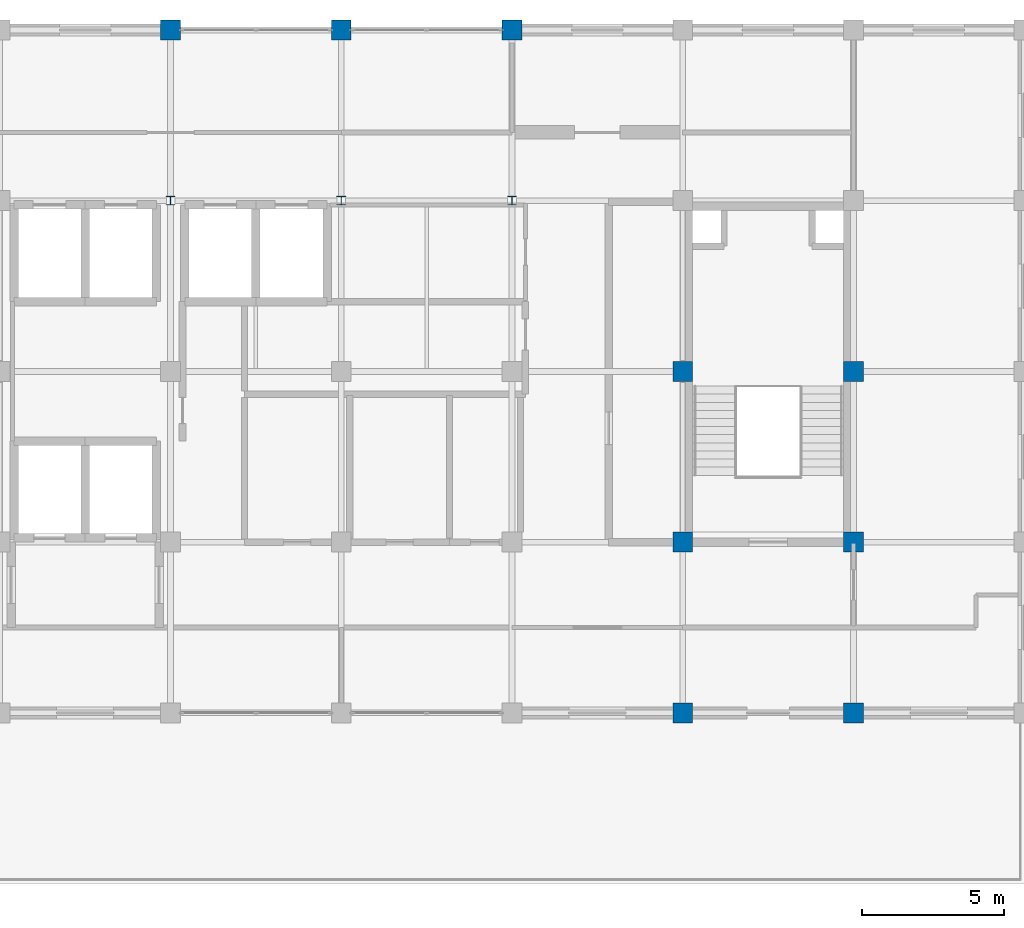
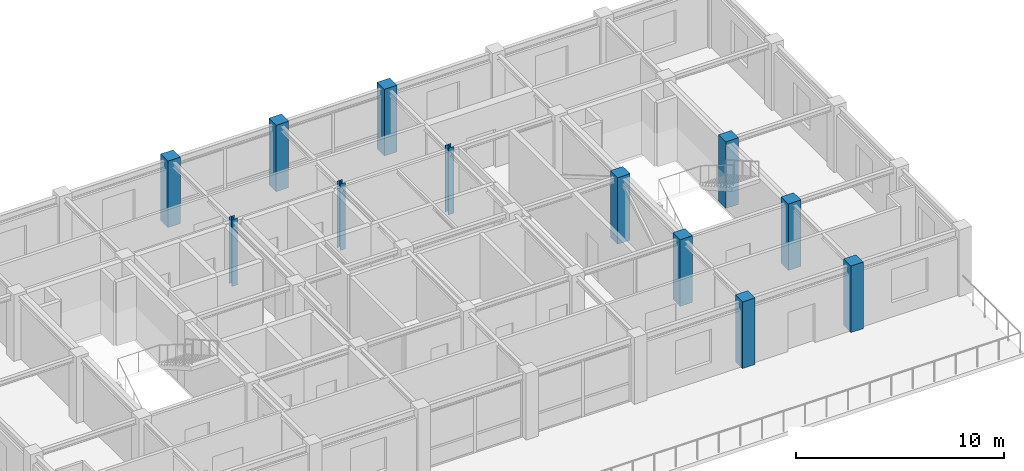
# One storey, part 2 of 11: 12 columns.
"""IFC4 building model written with IfcOpenShell, lengths in metres."""

from ifc_helpers import new_model, si_unit, direction, frame, origin, origin_2d, place, context, subcontext, project, spatial, rectangle, i_section, extrude, material, material_profile, profile_set, type_object, element, save


model = new_model("IFC4")

# Units and contexts
model_context = context("Model", 3, precision=1e-05, world=origin(), true_north=direction((0.0, 1.0)))
body_context = subcontext(model_context, "Body", "Model", "MODEL_VIEW")
ifc_project = project(units=[si_unit("LENGTHUNIT", "METRE"), si_unit("AREAUNIT", "SQUARE_METRE"), si_unit("VOLUMEUNIT", "CUBIC_METRE"), si_unit("PLANEANGLEUNIT", "RADIAN"), si_unit("MASSUNIT", "GRAM", prefix="KILO")], contexts=[model_context])

# Site, building, storey
site_placement = place(None, origin())
site = spatial("IfcSite", under=ifc_project, at=site_placement, CompositionType="ELEMENT")
building_placement = place(site_placement, origin())
building = spatial("IfcBuilding", under=site, at=building_placement, Name="Zlatovratsky Civic Hall", CompositionType="ELEMENT")
storey_placement = place(building_placement, frame((0.0, 0.0, 52.199951171875)))
storey = spatial("IfcBuildingStorey", under=building, at=storey_placement, Name="L13", CompositionType="ELEMENT", Elevation=52.199951171875)

# Columns
ifc_material_1 = material(Name="Concrete C35/45 (B40)", Category="concrete")
ifc_material_profile_1 = material_profile(ifc_material_1, rectangle(XDim=0.699951171875, YDim=0.699951171875, at=origin_2d()), Name="RC 700x700")
ifc_profile_set_1 = profile_set([ifc_material_profile_1], Name="Concrete C35/45 (B40)")
column_type_1 = type_object("IfcColumnType", Name="Col_CorePier_RC700", PredefinedType="COLUMN", material=ifc_profile_set_1)
for number, where, z_axis, x_axis, name in (
    (1, (96.0, 78.0, 0.0), (0.0, 0.0, 1.0), (1.0, 0.0, 0.0), "CL-2471"),
    (2, (102.0, 78.0, 0.0), (0.0, 0.0, 1.0), (1.0, 0.0, 0.0), "CL-2472"),
    (3, (96.0, 84.0, 0.0), (0.0, 0.0, 1.0), (1.0, 0.0, 0.0), "CL-2480"),
    (4, (102.0, 84.0, 0.0), (0.0, 0.0, 1.0), (1.0, 0.0, 0.0), "CL-2481"),
    (5, (96.0, 90.0, 0.0), (0.0, 0.0, 1.0), (1.0, 0.0, 0.0), "CL-2489"),
    (6, (102.0, 90.0, 0.0), (0.0, 0.0, 1.0), (1.0, 0.0, 0.0), "CL-2490"),
    (7, (78.0, 102.0, 0.0), (0.0, 0.0, 1.0), (1.0, 0.0, 0.0), "CL-2504"),
    (8, (84.0, 102.0, 0.0), (0.0, 0.0, 1.0), (1.0, 0.0, 0.0), "CL-2505"),
    (9, (90.0, 102.0, 0.0), (0.0, 0.0, 1.0), (1.0, 0.0, 0.0), "CL-2506"),
):
    element("IfcColumn", number, at=place(storey_placement, frame(where, z_axis=z_axis, x_axis=x_axis)), inside=storey, type_object=column_type_1, Name=name, PredefinedType="COLUMN", context=body_context, shape_type="SweptSolid", body=[
        extrude(rectangle(XDim=0.699951171875, YDim=0.699951171875, at=origin_2d()), origin(), (0.0, 0.0, 1.0), 3.900146484375),
    ])
ifc_material_2 = material(Name="Steel S355", Category="steel")
ifc_material_profile_2 = material_profile(ifc_material_2, i_section(OverallWidth=0.300048828125, OverallDepth=0.300048828125, WebThickness=0.010009765625, FlangeThickness=0.014892578125, FilletRadius=0.01806640625, at=origin_2d()), Name="30K2")
ifc_profile_set_2 = profile_set([ifc_material_profile_2], Name="Steel S355")
column_type_2 = type_object("IfcColumnType", Name="Col_Steel_30K2", PredefinedType="COLUMN", material=ifc_profile_set_2)
for number, where, z_axis, x_axis, name in (
    (10, (78.0, 96.0, 0.0), (0.0, 0.0, 1.0), (1.0, 0.0, 0.0), "CL-2495"),
    (11, (84.0, 96.0, 0.0), (0.0, 0.0, 1.0), (1.0, 0.0, 0.0), "CL-2496"),
    (12, (90.0, 96.0, 0.0), (0.0, 0.0, 1.0), (1.0, 0.0, 0.0), "CL-2497"),
):
    element("IfcColumn", number, at=place(storey_placement, frame(where, z_axis=z_axis, x_axis=x_axis)), inside=storey, type_object=column_type_2, Name=name, PredefinedType="COLUMN", context=body_context, shape_type="SweptSolid", body=[
        extrude(i_section(OverallWidth=0.300048828125, OverallDepth=0.300048828125, WebThickness=0.010009765625, FlangeThickness=0.014892578125, FilletRadius=0.01806640625, at=origin_2d()), origin(), (0.0, 0.0, 1.0), 3.900146484375),
    ])

save(model, "model.ifc")
